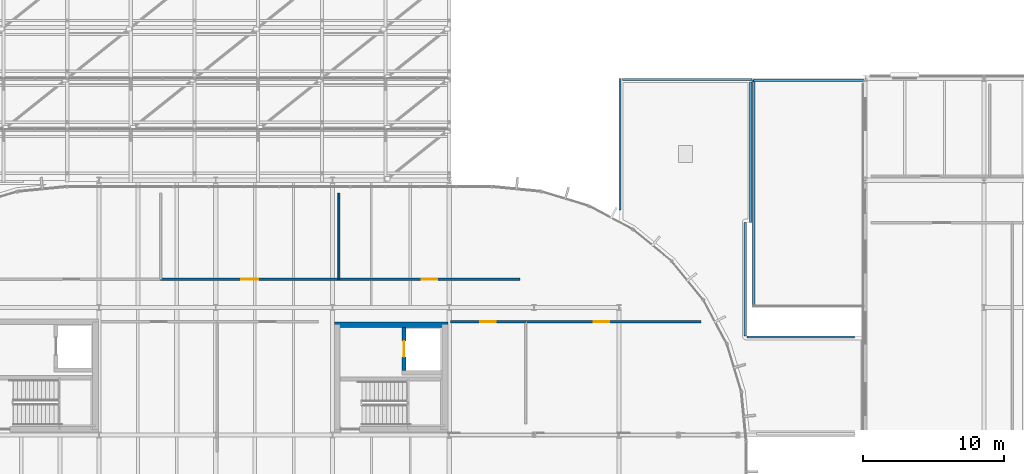
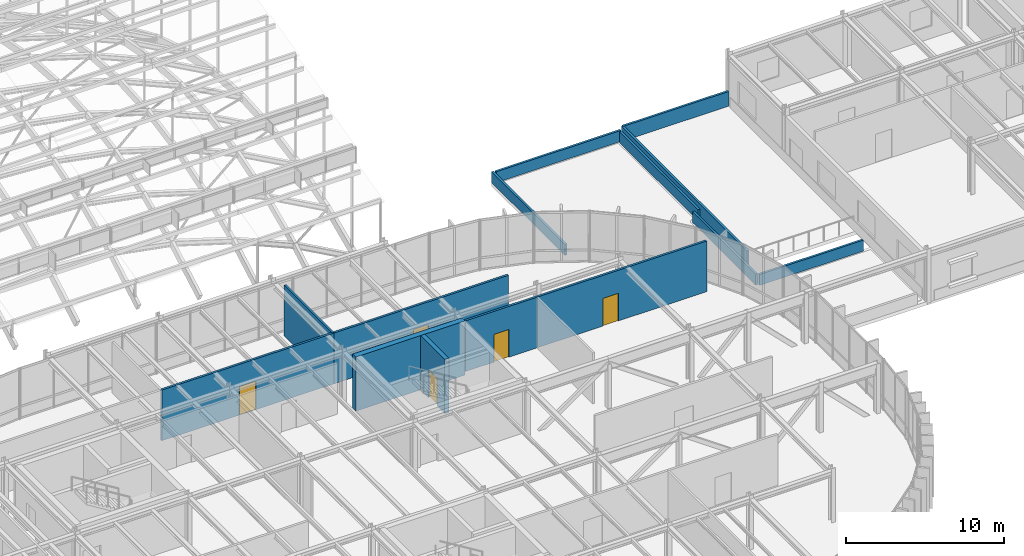
# One storey, part 54 of 69: 14 walls, 5 doors, 5 openings.
"""IFC4 building model written with IfcOpenShell, lengths in metres."""

from ifc_helpers import new_model, si_unit, direction, frame, frame_2d, origin, place, context, subcontext, project, spatial, rectangle, extrude, material, layer, layer_set, type_object, element, fill, save


model = new_model("IFC4")

# Units and contexts
model_context = context("Model", 3, precision=1e-05, world=origin(), true_north=direction((0.0, 1.0)))
body_context = subcontext(model_context, "Body", "Model", "MODEL_VIEW")
ifc_project = project(units=[si_unit("LENGTHUNIT", "METRE"), si_unit("AREAUNIT", "SQUARE_METRE"), si_unit("VOLUMEUNIT", "CUBIC_METRE"), si_unit("PLANEANGLEUNIT", "RADIAN"), si_unit("MASSUNIT", "GRAM", prefix="KILO")], contexts=[model_context])

# Site, building, storey
site_placement = place(None, origin())
site = spatial("IfcSite", under=ifc_project, at=site_placement, CompositionType="ELEMENT")
building_placement = place(site_placement, origin())
building = spatial("IfcBuilding", under=site, at=building_placement, Name="Montealbar Specialist Clinic", CompositionType="ELEMENT")
storey_placement = place(building_placement, frame((0.0, 0.0, 9.60009765625)))
storey = spatial("IfcBuildingStorey", under=building, at=storey_placement, Name="L02", CompositionType="ELEMENT", Elevation=9.60009765625)

# Wall, opening, door
ifc_material_1 = material(Name="Concrete C35/45", Category="concrete")
ifc_layer_1 = layer(ifc_material_1, 0.300048828125, Name="Concrete C35/45", Category="concrete")
ifc_layer_set_1 = layer_set([ifc_layer_1], Name="Concrete C35/45")
wall_type_1 = type_object("IfcWallType", Name="WL-CORE-300", PredefinedType="SHEAR", material=ifc_layer_set_1)
wall_1_placement = place(storey_placement, frame((95.800048828125, 31.550048828125, 0.0), z_axis=(0.0, 0.0, 1.0), x_axis=(0.0, 1.0, 0.0)))
wall_1 = element("IfcWall", 1, at=wall_1_placement, inside=storey, type_object=wall_type_1, Name="Lift LF-03 Shaft Wall L02 LW", PredefinedType="SHEAR", context=body_context, shape_type="SweptSolid", body=[
    extrude(rectangle(XDim=3.050048828125, YDim=0.300048828125, at=frame_2d((1.52490234375, 0.0))), origin(), (0.0, 0.0, 1.0), 4.199951171875),
])
opening_1_placement = place(wall_1_placement, frame((0.97509765625, 0.0, 0.0)))
opening_1 = element("IfcOpeningElement", 2, at=opening_1_placement, cuts=wall_1, Name="Opening LD-11", PredefinedType="OPENING", context=body_context, shape_type="SweptSolid", body=[
    extrude(rectangle(XDim=1.10009765625, YDim=2.14990234375, at=frame_2d((0.550048828125, 1.074951171875))), frame((0.0, 0.159912109375, 0.0), z_axis=(0.0, -1.0, 0.0), x_axis=(1.0, 0.0, 0.0)), (0.0, 0.0, 1.0), 0.320068359375),
])
ifc_material_2 = material(Name="Steel S355", Category="steel")
door_type_1 = type_object("IfcDoorType", Name="DR-LIFT-LD1100", OperationType="DOUBLE_DOOR_SLIDING", PredefinedType="DOOR", material=ifc_material_2)
door_1_placement = place(opening_1_placement, origin())
door_1 = element("IfcDoor", 3, at=door_1_placement, inside=storey, type_object=door_type_1, Name="Lift LF-03 Sliding Landing Door L02", OperationType="DOUBLE_DOOR_SLIDING", OverallHeight=2.14990234375, OverallWidth=1.10009765625, PredefinedType="DOOR", context=body_context, shape_type="SweptSolid", body=[
    extrude(rectangle(XDim=1.10009765625, YDim=2.14990234375, at=frame_2d((0.550048828125, 1.074951171875))), frame((0.0, 0.02490234375, 0.0), z_axis=(0.0, -1.0, 0.0), x_axis=(1.0, 0.0, 0.0)), (0.0, 0.0, 1.0), 0.050048828125),
])
fill(opening_1, door_1)

# Walls
ifc_layer_2 = layer(ifc_material_1, 0.39990234375, Name="Concrete C35/45", Category="concrete")
ifc_layer_set_2 = layer_set([ifc_layer_2], Name="Concrete C35/45")
wall_type_2 = type_object("IfcWallType", Name="WL-CORE-400", PredefinedType="SHEAR", material=ifc_layer_set_2)
wall_2_placement = place(storey_placement, frame((90.89990234375, 34.800048828125, 0.0), z_axis=(0.0, 0.0, 1.0), x_axis=(1.0, 0.0, 0.0)))
element("IfcWall", 4, at=wall_2_placement, inside=storey, type_object=wall_type_2, Name="Core C5 Shear Wall L02 N", PredefinedType="SHEAR", context=body_context, shape_type="SweptSolid", body=[
    extrude(rectangle(XDim=8.0, YDim=0.39990234375, at=frame_2d((4.0, 0.0))), origin(), (0.0, 0.0, 1.0), 4.199951171875),
])
ifc_material_3 = material(Name="Guadarrama granite ashlar", Category="masonry")
ifc_layer_3 = layer(ifc_material_3, 0.159912109375, Name="Guadarrama granite ashlar", Category="masonry")
ifc_layer_set_3 = layer_set([ifc_layer_3], Name="Guadarrama granite ashlar")
wall_type_3 = type_object("IfcWallType", Name="WL-PARAPET-160", PredefinedType="PARAPET", material=ifc_layer_set_3)
wall_3_placement = place(storey_placement, frame((119.919921875, 42.0, 0.0), z_axis=(0.0, 0.0, 1.0), x_axis=(0.0, -1.0, 0.0)))
element("IfcWall", 5, at=wall_3_placement, inside=storey, type_object=wall_type_3, Name="Roof Parapet L02-022", PredefinedType="PARAPET", context=body_context, shape_type="SweptSolid", body=[
    extrude(rectangle(XDim=8.0, YDim=0.159912109375, at=frame_2d((4.0, 0.0))), origin(), (0.0, 0.0, 1.0), 0.849853515625),
])
wall_4_placement = place(storey_placement, frame((120.051025390625, 33.919921875, 0.0), z_axis=(0.0, 0.0, 1.0), x_axis=(1.0, 0.0, 0.0)))
element("IfcWall", 6, at=wall_4_placement, inside=storey, type_object=wall_type_3, Name="Roof Parapet L02-023", PredefinedType="PARAPET", context=body_context, shape_type="SweptSolid", body=[
    extrude(rectangle(XDim=7.598876953125, YDim=0.159912109375, at=frame_2d((3.79931640625, 0.0))), origin(), (0.0, 0.0, 1.0), 0.849853515625),
])
wall_5_placement = place(storey_placement, frame((111.080078125, 42.90087890625, 0.0), z_axis=(0.0, 0.0, 1.0), x_axis=(0.0, 1.0, 0.0)))
element("IfcWall", 7, at=wall_5_placement, inside=storey, type_object=wall_type_3, Name="Roof Parapet L02-025", PredefinedType="PARAPET", context=body_context, shape_type="SweptSolid", body=[
    extrude(rectangle(XDim=9.299072265625, YDim=0.159912109375, at=frame_2d((4.6494140625, 0.0))), origin(), (0.0, 0.0, 1.0), 0.849853515625),
])
wall_6_placement = place(storey_placement, frame((111.2548828125, 52.1201171875, 0.0), z_axis=(0.0, 0.0, 1.0), x_axis=(1.0, 0.0, 0.0)))
element("IfcWall", 8, at=wall_6_placement, inside=storey, type_object=wall_type_3, Name="Roof Parapet L02-026", PredefinedType="PARAPET", context=body_context, shape_type="SweptSolid", body=[
    extrude(rectangle(XDim=9.14501953125, YDim=0.159912109375, at=frame_2d((4.572509765625, 0.0))), origin(), (0.0, 0.0, 1.0), 0.849853515625),
])
wall_7_placement = place(storey_placement, frame((120.320068359375, 51.945068359375, 0.0), z_axis=(0.0, 0.0, 1.0), x_axis=(0.0, -1.0, 0.0)))
element("IfcWall", 9, at=wall_7_placement, inside=storey, type_object=wall_type_3, Name="Roof Parapet L02-027", PredefinedType="PARAPET", context=body_context, shape_type="SweptSolid", body=[
    extrude(rectangle(XDim=9.945068359375, YDim=0.159912109375, at=frame_2d((4.97265625, 0.0))), origin(), (0.0, 0.0, 1.0), 0.849853515625),
])
wall_8_placement = place(storey_placement, frame((120.52001953125, 52.080078125, 0.0), z_axis=(0.0, 0.0, 1.0), x_axis=(1.0, 0.0, 0.0)))
element("IfcWall", 10, at=wall_8_placement, inside=storey, type_object=wall_type_3, Name="Terrace Separation Parapet TERR-L02-V3W-N", PredefinedType="PARAPET", context=body_context, shape_type="SweptSolid", body=[
    extrude(rectangle(XDim=7.760009765625, YDim=0.159912109375, at=frame_2d((3.8798828125, 0.0))), origin(), (0.0, 0.0, 1.0), 1.139892578125),
])
wall_9_placement = place(storey_placement, frame((120.52001953125, 36.1201171875, 0.0), z_axis=(0.0, 0.0, 1.0), x_axis=(0.0, 1.0, 0.0)))
element("IfcWall", 11, at=wall_9_placement, inside=storey, type_object=wall_type_3, Name="Terrace Separation Parapet TERR-L02-V3W-W", PredefinedType="PARAPET", context=body_context, shape_type="SweptSolid", body=[
    extrude(rectangle(XDim=15.9599609375, YDim=0.159912109375, at=frame_2d((7.97998046875, 0.0))), origin(), (0.0, 0.0, 1.0), 1.139892578125),
])
ifc_material_4 = material(Name="Gypsum acoustic partition", Category="gypsum")
ifc_layer_4 = layer(ifc_material_4, 0.139892578125, Name="Gypsum acoustic partition", Category="gypsum")
ifc_layer_set_4 = layer_set([ifc_layer_4], Name="Gypsum acoustic partition")
wall_type_4 = type_object("IfcWallType", Name="WL-PART-ACOUSTIC-140", PredefinedType="PARTITIONING", material=ifc_layer_set_4)
wall_10_placement = place(storey_placement, frame((91.199951171875, 38.0, 0.0), z_axis=(0.0, 0.0, 1.0), x_axis=(0.0, 1.0, 0.0)))
element("IfcWall", 12, at=wall_10_placement, inside=storey, type_object=wall_type_4, Name="Clinical Partition PART-L02-0144", PredefinedType="PARTITIONING", context=body_context, shape_type="SweptSolid", body=[
    extrude(rectangle(XDim=6.10009765625, YDim=0.139892578125, at=frame_2d((3.050048828125, 0.0))), origin(), (0.0, 0.0, 1.0), 3.929931640625),
])

# Wall, opening, door
ifc_layer_5 = layer(ifc_material_4, 0.159912109375, Name="Gypsum acoustic partition", Category="gypsum")
ifc_layer_set_5 = layer_set([ifc_layer_5], Name="Gypsum acoustic partition")
wall_type_5 = type_object("IfcWallType", Name="WL-PART-CLINIC-160", PredefinedType="PARTITIONING", material=ifc_layer_set_5)
wall_11_placement = place(storey_placement, frame((78.60009765625, 38.0, 0.0), z_axis=(0.0, 0.0, 1.0), x_axis=(1.0, 0.0, 0.0)))
wall_11 = element("IfcWall", 13, at=wall_11_placement, inside=storey, type_object=wall_type_5, Name="Clinical Partition PART-L02-0143", PredefinedType="PARTITIONING", context=body_context, shape_type="SweptSolid", body=[
    extrude(rectangle(XDim=12.599853515625, YDim=0.159912109375, at=frame_2d((6.2998046875, 0.0))), origin(), (0.0, 0.0, 1.0), 3.929931640625),
])
opening_2_placement = place(wall_11_placement, frame((5.699951171875, 0.0, 0.0)))
opening_2 = element("IfcOpeningElement", 14, at=opening_2_placement, cuts=wall_11, Name="Opening ID-120", PredefinedType="OPENING", context=body_context, shape_type="SweptSolid", body=[
    extrude(rectangle(XDim=1.199951171875, YDim=2.199951171875, at=frame_2d((0.60009765625, 1.10009765625))), frame((0.0, 0.08984375, 0.0), z_axis=(0.0, -1.0, 0.0), x_axis=(1.0, 0.0, 0.0)), (0.0, 0.0, 1.0), 0.179931640625),
])
ifc_material_5 = material(Name="Acoustic timber leaf", Category="wood")
door_type_2 = type_object("IfcDoorType", Name="DR-CLIN-W1200", OperationType="NOTDEFINED", PredefinedType="DOOR", material=ifc_material_5)
door_2_placement = place(opening_2_placement, frame((1.199951171875, 0.0, 0.0), z_axis=(0.0, 0.0, 1.0), x_axis=(-1.0, 0.0, 0.0)))
door_2 = element("IfcDoor", 15, at=door_2_placement, inside=storey, type_object=door_type_2, Name="Clinical Room Door IDR-L02-0093", OperationType="SINGLE_SWING_RIGHT", OverallHeight=2.199951171875, OverallWidth=1.199951171875, PredefinedType="DOOR", context=body_context, shape_type="SweptSolid", body=[
    extrude(rectangle(XDim=1.199951171875, YDim=2.199951171875, at=frame_2d((0.60009765625, 1.10009765625))), frame((0.0, 0.02490234375, 0.0), z_axis=(0.0, -1.0, 0.0), x_axis=(1.0, 0.0, 0.0)), (0.0, 0.0, 1.0), 0.050048828125),
])
fill(opening_2, door_2)

wall_12_placement = place(storey_placement, frame((91.199951171875, 38.0, 0.0), z_axis=(0.0, 0.0, 1.0), x_axis=(1.0, 0.0, 0.0)))
wall_12 = element("IfcWall", 16, at=wall_12_placement, inside=storey, type_object=wall_type_5, Name="Clinical Partition PART-L02-0145", PredefinedType="PARTITIONING", context=body_context, shape_type="SweptSolid", body=[
    extrude(rectangle(XDim=12.800048828125, YDim=0.159912109375, at=frame_2d((6.39990234375, 0.0))), origin(), (0.0, 0.0, 1.0), 3.929931640625),
])
opening_3_placement = place(wall_12_placement, frame((5.85009765625, 0.0, 0.0)))
opening_3 = element("IfcOpeningElement", 17, at=opening_3_placement, cuts=wall_12, Name="Opening ID-110", PredefinedType="OPENING", context=body_context, shape_type="SweptSolid", body=[
    extrude(rectangle(XDim=1.10009765625, YDim=2.14990234375, at=frame_2d((0.550048828125, 1.074951171875))), frame((0.0, 0.08984375, 0.0), z_axis=(0.0, -1.0, 0.0), x_axis=(1.0, 0.0, 0.0)), (0.0, 0.0, 1.0), 0.179931640625),
])
door_type_3 = type_object("IfcDoorType", Name="DR-CLIN-W1100", OperationType="NOTDEFINED", PredefinedType="DOOR", material=ifc_material_5)
door_3_placement = place(opening_3_placement, frame((1.10009765625, 0.0, 0.0), z_axis=(0.0, 0.0, 1.0), x_axis=(-1.0, 0.0, 0.0)))
door_3 = element("IfcDoor", 18, at=door_3_placement, inside=storey, type_object=door_type_3, Name="Clinical Room Door IDR-L02-0094", OperationType="SINGLE_SWING_LEFT", OverallHeight=2.14990234375, OverallWidth=1.10009765625, PredefinedType="DOOR", context=body_context, shape_type="SweptSolid", body=[
    extrude(rectangle(XDim=1.10009765625, YDim=2.14990234375, at=frame_2d((0.550048828125, 1.074951171875))), frame((0.0, 0.02490234375, 0.0), z_axis=(0.0, -1.0, 0.0), x_axis=(1.0, 0.0, 0.0)), (0.0, 0.0, 1.0), 0.050048828125),
])
fill(opening_3, door_3)

wall_13_placement = place(storey_placement, frame((99.10009765625, 35.0, 0.0), z_axis=(0.0, 0.0, 1.0), x_axis=(1.0, 0.0, 0.0)))
wall_13 = element("IfcWall", 19, at=wall_13_placement, inside=storey, type_object=wall_type_5, Name="Clinical Partition PART-L02-0146", PredefinedType="PARTITIONING", context=body_context, shape_type="SweptSolid", body=[
    extrude(rectangle(XDim=5.2998046875, YDim=0.159912109375, at=frame_2d((2.64990234375, 0.0))), origin(), (0.0, 0.0, 1.0), 3.929931640625),
])
opening_4_placement = place(wall_13_placement, frame((2.10009765625, 0.0, 0.0)))
opening_4 = element("IfcOpeningElement", 20, at=opening_4_placement, cuts=wall_13, Name="Opening ID-110", PredefinedType="OPENING", context=body_context, shape_type="SweptSolid", body=[
    extrude(rectangle(XDim=1.10009765625, YDim=2.14990234375, at=frame_2d((0.550048828125, 1.074951171875))), frame((0.0, 0.08984375, 0.0), z_axis=(0.0, -1.0, 0.0), x_axis=(1.0, 0.0, 0.0)), (0.0, 0.0, 1.0), 0.179931640625),
])
door_4_placement = place(opening_4_placement, origin())
door_4 = element("IfcDoor", 21, at=door_4_placement, inside=storey, type_object=door_type_3, Name="Clinical Room Door IDR-L02-0095", OperationType="SINGLE_SWING_RIGHT", OverallHeight=2.14990234375, OverallWidth=1.10009765625, PredefinedType="DOOR", context=body_context, shape_type="SweptSolid", body=[
    extrude(rectangle(XDim=1.10009765625, YDim=2.14990234375, at=frame_2d((0.550048828125, 1.074951171875))), frame((0.0, 0.02490234375, 0.0), z_axis=(0.0, -1.0, 0.0), x_axis=(1.0, 0.0, 0.0)), (0.0, 0.0, 1.0), 0.050048828125),
])
fill(opening_4, door_4)

wall_14_placement = place(storey_placement, frame((104.39990234375, 35.0, 0.0), z_axis=(0.0, 0.0, 1.0), x_axis=(1.0, 0.0, 0.0)))
wall_14 = element("IfcWall", 22, at=wall_14_placement, inside=storey, type_object=wall_type_5, Name="Clinical Partition PART-L02-0148", PredefinedType="PARTITIONING", context=body_context, shape_type="SweptSolid", body=[
    extrude(rectangle(XDim=12.400146484375, YDim=0.159912109375, at=frame_2d((6.2001953125, 0.0))), origin(), (0.0, 0.0, 1.0), 3.929931640625),
])
opening_5_placement = place(wall_14_placement, frame((4.81005859375, 0.0, 0.0)))
opening_5 = element("IfcOpeningElement", 23, at=opening_5_placement, cuts=wall_14, Name="Opening ID-110", PredefinedType="OPENING", context=body_context, shape_type="SweptSolid", body=[
    extrude(rectangle(XDim=1.10009765625, YDim=2.14990234375, at=frame_2d((0.550048828125, 1.074951171875))), frame((0.0, 0.08984375, 0.0), z_axis=(0.0, -1.0, 0.0), x_axis=(1.0, 0.0, 0.0)), (0.0, 0.0, 1.0), 0.179931640625),
])
door_5_placement = place(opening_5_placement, origin())
door_5 = element("IfcDoor", 24, at=door_5_placement, inside=storey, type_object=door_type_3, Name="Clinical Room Door IDR-L02-0096", OperationType="SINGLE_SWING_LEFT", OverallHeight=2.14990234375, OverallWidth=1.10009765625, PredefinedType="DOOR", context=body_context, shape_type="SweptSolid", body=[
    extrude(rectangle(XDim=1.10009765625, YDim=2.14990234375, at=frame_2d((0.550048828125, 1.074951171875))), frame((0.0, 0.02490234375, 0.0), z_axis=(0.0, -1.0, 0.0), x_axis=(1.0, 0.0, 0.0)), (0.0, 0.0, 1.0), 0.050048828125),
])
fill(opening_5, door_5)

save(model, "model.ifc")
